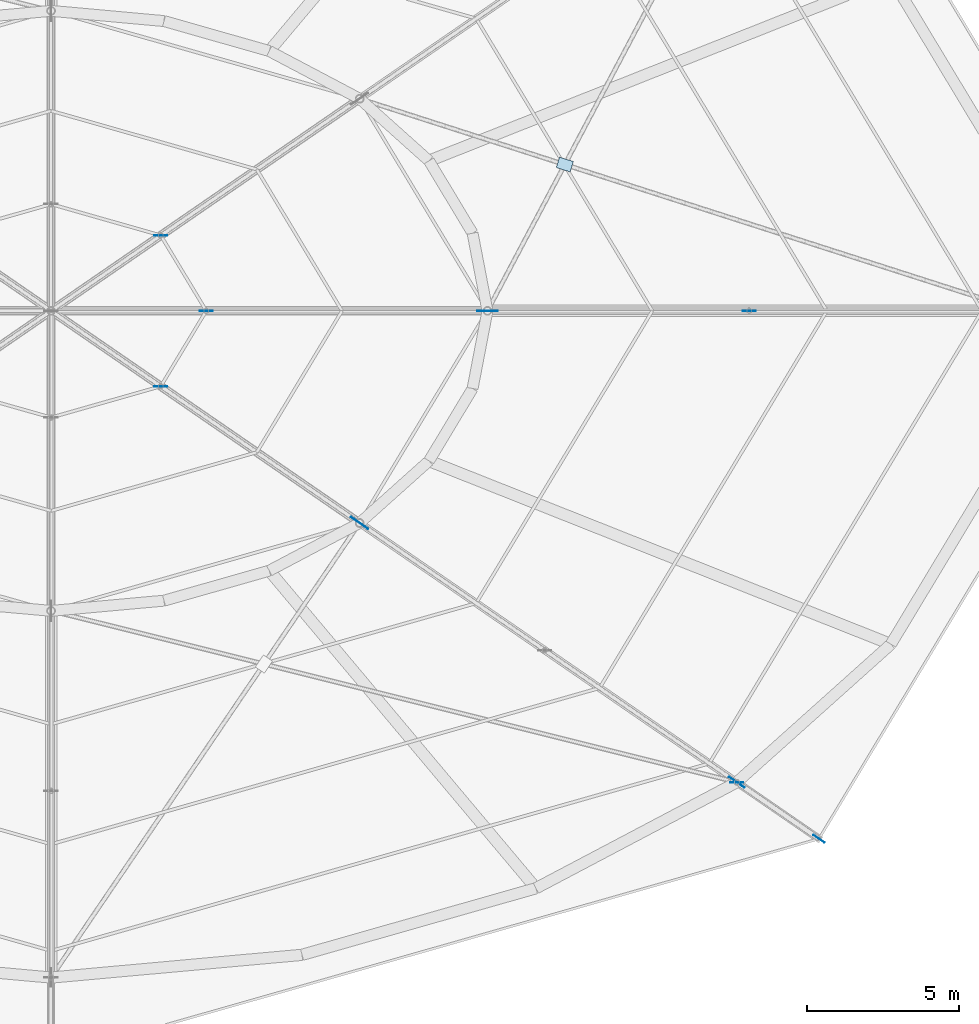
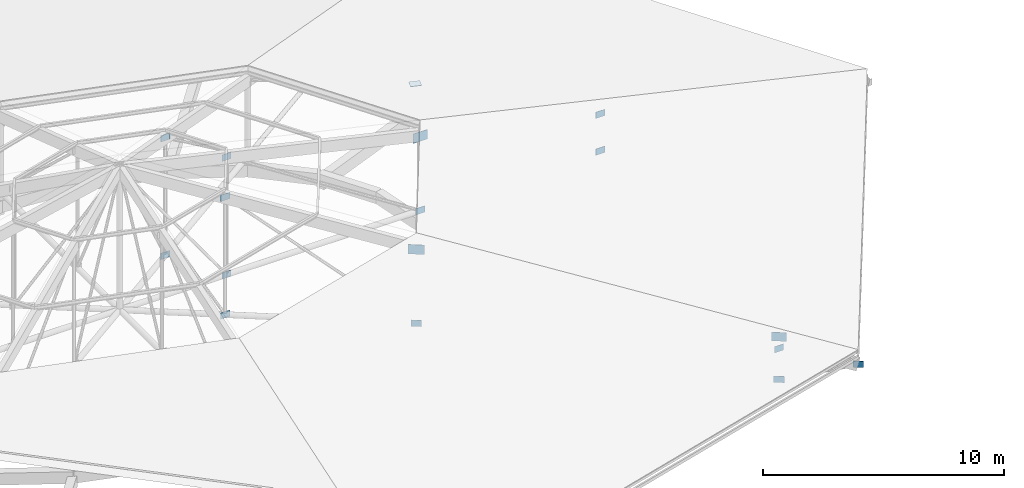
# One storey, part 50 of 66: 17 plates.
"""IFC4 building model written with IfcOpenShell, lengths in metres."""

from ifc_helpers import new_model, si_unit, direction, frame, origin, origin_2d, place, context, subcontext, project, spatial, rectangle, extrude, material, layer, layer_set, type_object, element, save


model = new_model("IFC4")

# Units and contexts
model_context = context("Model", 3, precision=1e-05, world=origin(), true_north=direction((0.0, 1.0)))
body_context = subcontext(model_context, "Body", "Model", "MODEL_VIEW")
ifc_project = project(units=[si_unit("LENGTHUNIT", "METRE"), si_unit("AREAUNIT", "SQUARE_METRE"), si_unit("VOLUMEUNIT", "CUBIC_METRE"), si_unit("PLANEANGLEUNIT", "RADIAN"), si_unit("MASSUNIT", "GRAM", prefix="KILO")], contexts=[model_context])

# Site, building, storey
site_placement = place(None, origin())
site = spatial("IfcSite", under=ifc_project, at=site_placement, CompositionType="ELEMENT")
building_placement = place(site_placement, origin())
building = spatial("IfcBuilding", under=site, at=building_placement, Name="Zornivar Specialist Clinic", CompositionType="ELEMENT")
storey_placement = place(building_placement, frame((0.0, 0.0, 16.0)))
storey = spatial("IfcBuildingStorey", under=building, at=storey_placement, Name="L04", CompositionType="ELEMENT", Elevation=16.0)

# Plates
ifc_material_1 = material(Name="Steel S355J2", Category="steel")
ifc_layer_1 = layer(ifc_material_1, 0.02197265625)
ifc_layer_set_1 = layer_set([ifc_layer_1], Name="Steel S355J2")
plate_type_1 = type_object("IfcPlateType", Name="PL-GUSSET-HEEL-22", PredefinedType="USERDEFINED", material=ifc_layer_set_1)
plate_1_placement = place(storey_placement, frame((116.22705078125, 42.0439453125, 0.2900390625), z_axis=(0.0, 0.0, 1.0), x_axis=(0.824042986806, -0.566527277274, 0.0)))
element("IfcPlate", 1, at=plate_1_placement, inside=storey, type_object=plate_type_1, Name="plate:V1:L04:heel:7", ObjectType="GUSSET PLATE", PredefinedType="USERDEFINED", context=body_context, shape_type="SweptSolid", body=[
    extrude(rectangle(XDim=0.6201171875, YDim=0.02197265625, at=origin_2d()), origin(), (0.0, 0.0, 1.0), 0.43994140625),
])
ifc_material_2 = material(Name="Steel S355J2", Category="steel")
ifc_layer_2 = layer(ifc_material_2, 0.02001953125)
ifc_layer_set_2 = layer_set([ifc_layer_2], Name="Steel S355J2")
plate_type_2 = type_object("IfcPlateType", Name="PL-GUSSET-NODE-20", PredefinedType="USERDEFINED", material=ifc_layer_set_2)
plate_2_placement = place(storey_placement, frame((110.552978515625, 62.427978515625, 2.944091796875), z_axis=(0.0, 0.0, 1.0), x_axis=(-0.952182732136, 0.30552912238, 0.0)))
element("IfcPlate", 2, at=plate_2_placement, inside=storey, type_object=plate_type_2, Name="plate:V1:L04:xcross:0", ObjectType="GUSSET PLATE", PredefinedType="USERDEFINED", context=body_context, shape_type="SweptSolid", body=[
    extrude(rectangle(XDim=0.47998046875, YDim=0.360107421875, at=origin_2d()), origin(), (0.0, 0.0, 1.0), 0.02001953125),
])
ifc_material_3 = material(Name="Steel S355J2", Category="steel")
ifc_layer_3 = layer(ifc_material_3, 0.02392578125)
ifc_layer_set_3 = layer_set([ifc_layer_3], Name="Steel S355J2")
plate_type_3 = type_object("IfcPlateType", Name="PL-GUSSET-RIDGE-24", PredefinedType="USERDEFINED", material=ifc_layer_set_3)
for number, where, z_axis, x_axis, name in (
    (3, (108.0, 57.60009765625, 3.864013671875), (0.0, 0.0, 1.0), (1.0, 0.0, 0.0), "plate:V1:L04:ridge:0"),
    (4, (103.781982421875, 50.60009765625, 3.864013671875), (0.0, 0.0, 1.0), (0.824042986806, -0.566527277274, 0.0), "plate:V1:L04:ridge:7"),
):
    element("IfcPlate", number, at=place(storey_placement, frame(where, z_axis=z_axis, x_axis=x_axis)), inside=storey, type_object=plate_type_3, Name=name, ObjectType="GUSSET PLATE", PredefinedType="USERDEFINED", context=body_context, shape_type="SweptSolid", body=[
        extrude(rectangle(XDim=0.679931640625, YDim=0.02392578125, at=origin_2d()), origin(), (0.0, 0.0, 1.0), 0.47998046875),
    ])
ifc_material_4 = material(Name="Steel S355J2", Category="steel")
ifc_layer_4 = layer(ifc_material_4, 0.01806640625)
ifc_layer_set_4 = layer_set([ifc_layer_4], Name="Steel S355J2")
plate_type_4 = type_object("IfcPlateType", Name="PL-GUSSET-V4-18", PredefinedType="USERDEFINED", material=ifc_layer_set_4)
for number, where, z_axis, x_axis, name in (
    (5, (116.22705078125, 42.0439453125, -0.240234375), (0.0, 0.0, 1.0), (1.0, 0.0, 0.0), "plate:bnode:L04:047"),
    (6, (116.22705078125, 42.0439453125, -1.81005859375), (0.0, 0.0, 1.0), (-0.824027319533, 0.566550065452, 0.0), "plate:bnode:L04:048"),
    (7, (118.94189453125, 40.177001953125, -0.86083984375), (0.0, 0.0, 1.0), (-0.824027319533, 0.566550065452, 0.0), "plate:bnode:L04:049"),
    (8, (116.639892578125, 57.60009765625, 0.2001953125), (0.0, 0.0, 1.0), (1.0, 0.0, 0.0), "plate:bnode:L04:050"),
    (9, (116.639892578125, 57.60009765625, 2.06689453125), (0.0, 0.0, 1.0), (1.0, 0.0, 0.0), "plate:bnode:L04:051"),
    (10, (98.719970703125, 57.60009765625, 0.2001953125), (0.0, 0.0, 1.0), (1.0, 0.0, 0.0), "plate:bnode:L04:052"),
    (11, (98.719970703125, 57.60009765625, 6.1669921875), (0.0, 0.0, 1.0), (1.0, 0.0, 0.0), "plate:bnode:L04:053"),
    (12, (108.0, 57.60009765625, 0.2001953125), (0.0, 0.0, 1.0), (1.0, 0.0, 0.0), "plate:bnode:L04:054"),
    (13, (97.219970703125, 60.089111328125, 0.2001953125), (0.0, 0.0, 1.0), (1.0, 0.0, 0.0), "plate:bnode:L04:058"),
    (14, (97.219970703125, 60.089111328125, 6.1669921875), (0.0, 0.0, 1.0), (1.0, 0.0, 0.0), "plate:bnode:L04:059"),
    (15, (97.219970703125, 55.111083984375, 0.2001953125), (0.0, 0.0, 1.0), (1.0, 0.0, 0.0), "plate:bnode:L04:088"),
    (16, (97.219970703125, 55.111083984375, 6.1669921875), (0.0, 0.0, 1.0), (1.0, 0.0, 0.0), "plate:bnode:L04:089"),
    (17, (103.781982421875, 50.60009765625, 0.2001953125), (0.0, 0.0, 1.0), (-0.824027319533, 0.566550065452, 0.0), "plate:bnode:L04:090"),
):
    element("IfcPlate", number, at=place(storey_placement, frame(where, z_axis=z_axis, x_axis=x_axis)), inside=storey, type_object=plate_type_4, Name=name, ObjectType="GUSSET PLATE", PredefinedType="USERDEFINED", context=body_context, shape_type="SweptSolid", body=[
        extrude(rectangle(XDim=0.43994140625, YDim=0.01806640625, at=origin_2d()), origin(), (0.0, 0.0, 1.0), 0.320068359375),
    ])

save(model, "model.ifc")
